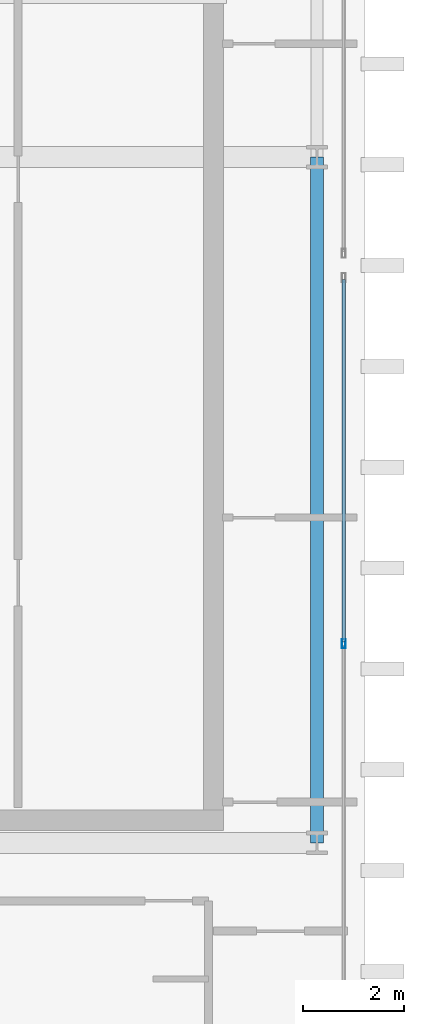
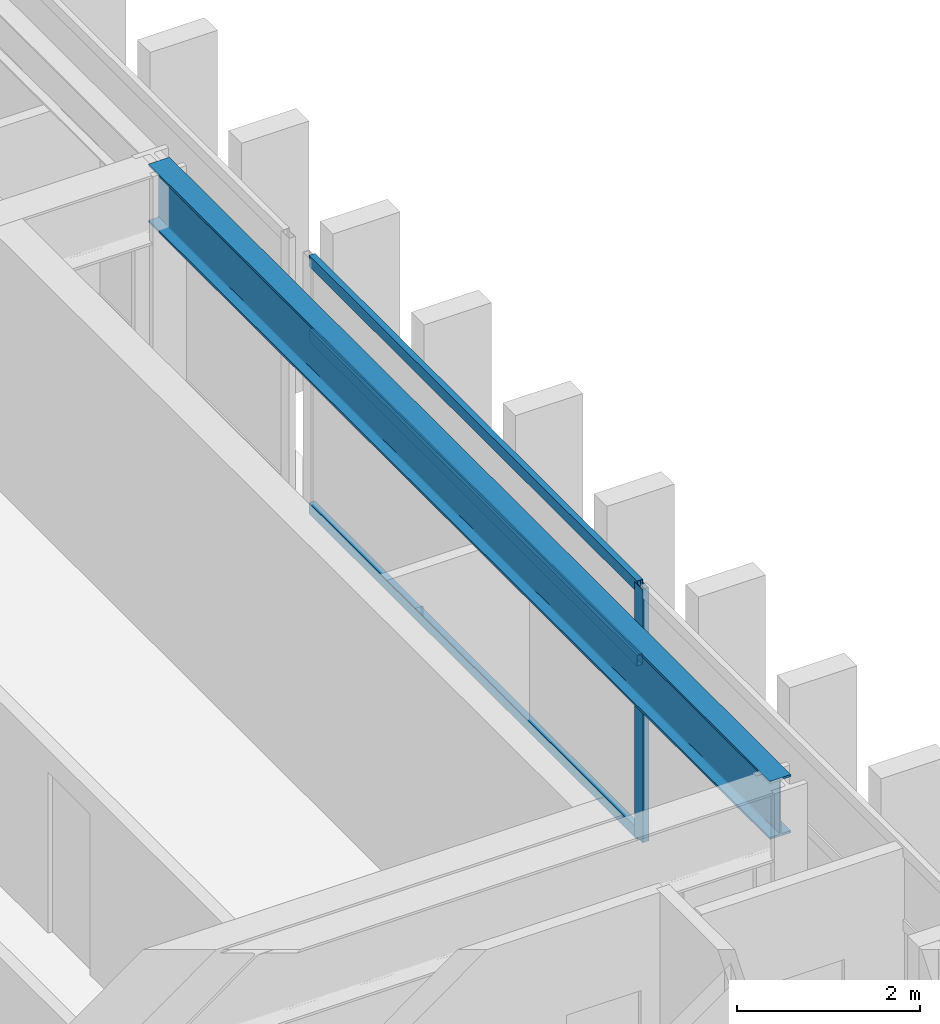
# One storey, part 10 of 25: 4 members, 1 beam, 1 element without a shape of its own.
"""IFC4 building model written with IfcOpenShell, lengths in metres."""

import ifcopenshell
import ifcopenshell.guid

model = None  # the IFC model being written
_history = None  # IfcOwnerHistory: only IFC2X3 demands one
_inside = {}  # id of a spatial element -> (the spatial element, [elements in it])
_under = {}  # id of a project, library or spatial element -> (it, [spatial elements below it])
_declared = {}  # id of a project -> (the project, [libraries it declares])
_typed = {}  # id of a type object -> (the type object, [elements of that type])
_made_of = {}  # id of a material, layer set ... -> (it, [elements and type objects made of it])


def new_model(schema):
    """Start an empty IFC model of exactly this schema.

    Asked for "IFC4X3", IfcOpenShell would pick the latest addendum, in which some entities
    have other attributes; the version numbers below select the first issue.
    IFC2X3 requires an IfcOwnerHistory on every rooted entity: one is made here for all.
    """
    global model, _history
    if schema == "IFC4X3":
        model = ifcopenshell.file(schema_version=(4, 3, 0, 0))
    else:
        model = ifcopenshell.file(schema=schema)
    _inside.clear()
    _under.clear()
    _declared.clear()
    _typed.clear()
    _made_of.clear()
    _history = None
    if model.schema == "IFC2X3":
        org = make("IfcOrganization", Name="unknown")
        user = make(
            "IfcPersonAndOrganization",
            ThePerson=make("IfcPerson", FamilyName="unknown"),
            TheOrganization=org,
        )
        app = make(
            "IfcApplication",
            ApplicationDeveloper=org,
            Version="unknown",
            ApplicationFullName="unknown",
            ApplicationIdentifier="unknown",
        )
        _history = make(
            "IfcOwnerHistory",
            OwningUser=user,
            OwningApplication=app,
            ChangeAction="ADDED",
            CreationDate=0,
        )
    return model


def make(cls, **values):
    """One entity of the class cls with the attributes given. An attribute that is None is left unset."""
    return model.create_entity(
        cls, **{name: value for name, value in values.items() if value is not None}
    )


def rooted(cls, **values):
    """An entity with a GlobalId (a new one), such as an element, a storey or a relation."""
    return make(cls, GlobalId=ifcopenshell.guid.new(), OwnerHistory=_history, **values)


def si_unit(unit_type, name, prefix=None):
    """IfcSIUnit, for example si_unit("LENGTHUNIT", "METRE", prefix="MILLI")."""
    return make("IfcSIUnit", UnitType=unit_type, Prefix=prefix, Name=name)


def assignment(units):
    """IfcUnitAssignment: the units of a project."""
    return None if units is None else make("IfcUnitAssignment", Units=units)


def point(xyz):
    """IfcCartesianPoint."""
    return None if xyz is None else make("IfcCartesianPoint", Coordinates=xyz)


def direction(xyz):
    """IfcDirection."""
    return None if xyz is None else make("IfcDirection", DirectionRatios=xyz)


def frame(location, z_axis=None, x_axis=None):
    """IfcAxis2Placement3D, a coordinate frame: its origin and axes. An axis left out is left unset."""
    return make(
        "IfcAxis2Placement3D",
        Location=point(location),
        Axis=direction(z_axis),
        RefDirection=direction(x_axis),
    )


def frame_2d(location, x_axis=None):
    """IfcAxis2Placement2D, a coordinate frame in the plane: its origin and x axis."""
    return make(
        "IfcAxis2Placement2D", Location=point(location), RefDirection=direction(x_axis)
    )


def origin():
    """The frame at (0, 0, 0) with its axes left unset."""
    return frame((0.0, 0.0, 0.0))


def origin_2d():
    """The frame at (0, 0) in the plane with its x axis left unset."""
    return frame_2d((0.0, 0.0))


def place(relative_to, where):
    """IfcLocalPlacement: puts the frame where relative to a parent placement (None: the world)."""
    return make(
        "IfcLocalPlacement", PlacementRelTo=relative_to, RelativePlacement=where
    )


def context(
    kind, dimensions, precision=None, world=None, true_north=None, identifier=None
):
    """IfcGeometricRepresentationContext, for example the 3D "Model" context."""
    return make(
        "IfcGeometricRepresentationContext",
        ContextIdentifier=identifier,
        ContextType=kind,
        CoordinateSpaceDimension=dimensions,
        Precision=precision,
        WorldCoordinateSystem=world,
        TrueNorth=true_north,
    )


def subcontext(parent, identifier, kind, view, scale=None):
    """IfcGeometricRepresentationSubContext, for example "Body" below "Model"."""
    return make(
        "IfcGeometricRepresentationSubContext",
        ContextIdentifier=identifier,
        ContextType=kind,
        ParentContext=parent,
        TargetScale=scale,
        TargetView=view,
    )


def project(units=None, contexts=None):
    """IfcProject with its units and contexts."""
    return rooted(
        "IfcProject",
        Name="project",
        RepresentationContexts=contexts,
        UnitsInContext=assignment(units),
    )


def spatial(cls, under=None, at=None, **own):
    """A site, building, storey or space (cls), placed at a placement, below another one or the project."""
    s = rooted(cls, ObjectPlacement=at, **own)
    if under is not None:
        _under.setdefault(under.id(), (under, []))[1].append(s)
    return s


def profile(cls, at=None, kind="AREA", **sizes):
    """A parametric profile (cls). Its sizes go by their IFC names, for example OverallWidth=200.0."""
    return make(cls, ProfileType=kind, Position=at, **sizes)


def hollow_rectangle(**sizes):
    """IfcRectangleHollowProfileDef."""
    return profile("IfcRectangleHollowProfileDef", **sizes)


def i_section(**sizes):
    """IfcIShapeProfileDef."""
    return profile("IfcIShapeProfileDef", **sizes)


def extrude(swept, where, along, depth):
    """IfcExtrudedAreaSolid: the profile swept, set in the frame where, extruded along a direction by depth."""
    return make(
        "IfcExtrudedAreaSolid",
        SweptArea=swept,
        Position=where,
        ExtrudedDirection=direction(along),
        Depth=depth,
    )


def shape(context_of_items, identifier, shape_type, items):
    """IfcShapeRepresentation: the items that make up one representation, for example the "Body"."""
    return make(
        "IfcShapeRepresentation",
        ContextOfItems=context_of_items,
        RepresentationIdentifier=identifier,
        RepresentationType=shape_type,
        Items=items,
    )


def source(mapping_origin, context_of_items, identifier, shape_type, items):
    """IfcRepresentationMap: a shape defined once, which mapped items show again and again."""
    return make(
        "IfcRepresentationMap",
        MappingOrigin=mapping_origin,
        MappedRepresentation=shape(context_of_items, identifier, shape_type, items),
    )


def transform(
    local_origin,
    x_axis=None,
    y_axis=None,
    z_axis=None,
    scale=None,
    scale2=None,
    scale3=None,
    uniform=True,
):
    """IfcCartesianTransformationOperator3D, or its non-uniform kind. x_axis, y_axis, z_axis: its Axis1, 2, 3."""
    if uniform:
        return make(
            "IfcCartesianTransformationOperator3D",
            Axis1=direction(x_axis),
            Axis2=direction(y_axis),
            LocalOrigin=point(local_origin),
            Scale=scale,
            Axis3=direction(z_axis),
        )
    return make(
        "IfcCartesianTransformationOperator3DnonUniform",
        Axis1=direction(x_axis),
        Axis2=direction(y_axis),
        LocalOrigin=point(local_origin),
        Scale=scale,
        Axis3=direction(z_axis),
        Scale2=scale2,
        Scale3=scale3,
    )


def mapped(mapping_source, mapping_target):
    """IfcMappedItem: shows the shape of a source again, moved by a transform."""
    return make(
        "IfcMappedItem", MappingSource=mapping_source, MappingTarget=mapping_target
    )


def material(Name=None, Category=None):
    """IfcMaterial."""
    return make("IfcMaterial", Name=Name, Category=Category)


def layer(
    of_material, thickness, ventilated=None, Name=None, Category=None, Priority=None
):
    """IfcMaterialLayer: one layer of a wall or slab, of a material (None: an air gap)."""
    return make(
        "IfcMaterialLayer",
        Material=of_material,
        LayerThickness=thickness,
        IsVentilated=ventilated,
        Name=Name,
        Category=Category,
        Priority=Priority,
    )


def layer_set(layers, Name=None):
    """IfcMaterialLayerSet."""
    return make("IfcMaterialLayerSet", MaterialLayers=layers, LayerSetName=Name)


def material_profile(
    of_material, cross_section, Name=None, Category=None, Priority=None
):
    """IfcMaterialProfile: a cross section and its material."""
    return make(
        "IfcMaterialProfile",
        Name=Name,
        Material=of_material,
        Profile=cross_section,
        Priority=Priority,
        Category=Category,
    )


def profile_set(profiles, Name=None, composite=None):
    """IfcMaterialProfileSet."""
    return make(
        "IfcMaterialProfileSet",
        Name=Name,
        MaterialProfiles=profiles,
        CompositeProfile=composite,
    )


def made_of(thing, what):
    """Note that an element or type object is made of a material, layer set ...; save() writes the relation."""
    if what is not None:
        _made_of.setdefault(what.id(), (what, []))[1].append(thing)
    return thing


def type_object(cls, material=None, **own):
    """A type object (cls), such as IfcWallType, which elements share."""
    return made_of(rooted(cls, **own), material)


def element(
    cls,
    number,
    at=None,
    inside=None,
    cuts=None,
    type_object=None,
    material=None,
    context=None,
    identifier="Body",
    shape_type=None,
    held_by="IfcProductDefinitionShape",
    body=None,
    shapes=None,
    **own,
):
    """One element of the class cls, such as IfcWall. Its Tag is "e" and its number.

    at: its placement. inside: the storey or other place that contains it. cuts: it is an
    opening in that element (IfcRelVoidsElement). A single representation is given by context,
    identifier, shape_type and body (its items); several are given by shapes. held_by: the class
    of the entity that holds the representations. save() writes the other relations.
    """
    e = rooted(cls, Tag="e%d" % number, ObjectPlacement=at, **own)
    if body is not None:
        shapes = [shape(context, identifier, shape_type, body)]
    if shapes is not None:
        e.Representation = make(held_by, Representations=shapes)
    if inside is not None:
        _inside.setdefault(inside.id(), (inside, []))[1].append(e)
    if cuts is not None:
        rooted(
            "IfcRelVoidsElement", RelatingBuildingElement=cuts, RelatedOpeningElement=e
        )
    if type_object is not None:
        _typed.setdefault(type_object.id(), (type_object, []))[1].append(e)
    return made_of(e, material)


def aggregate(whole, parts):
    """IfcRelAggregates: a whole, such as a stair, and the parts it consists of."""
    return rooted("IfcRelAggregates", RelatingObject=whole, RelatedObjects=parts)


def save(model, path):
    """Write the relations noted so far, then the file.

    IfcRelAggregates (storeys below a building ...), IfcRelContainedInSpatialStructure (elements
    in a storey), IfcRelDefinesByType, IfcRelAssociatesMaterial and IfcRelDeclares: one each for
    every whole, place, type object, material and project.
    """
    for whole, parts in _under.values():
        aggregate(whole, parts)
    for where, things in _inside.values():
        rooted(
            "IfcRelContainedInSpatialStructure",
            RelatedElements=things,
            RelatingStructure=where,
        )
    for kind, things in _typed.values():
        rooted("IfcRelDefinesByType", RelatedObjects=things, RelatingType=kind)
    for what, things in _made_of.values():
        rooted("IfcRelAssociatesMaterial", RelatedObjects=things, RelatingMaterial=what)
    for by, libraries in _declared.values():
        rooted("IfcRelDeclares", RelatingContext=by, RelatedDefinitions=libraries)
    model.write(path)


model = new_model("IFC4")

# Units and contexts
model_context = context("Model", 3, precision=1e-05, world=origin(), true_north=direction((0.0, 1.0)))
body_context = subcontext(model_context, "Body", "Model", "MODEL_VIEW")
ifc_project = project(units=[si_unit("LENGTHUNIT", "METRE"), si_unit("AREAUNIT", "SQUARE_METRE"), si_unit("VOLUMEUNIT", "CUBIC_METRE"), si_unit("PLANEANGLEUNIT", "RADIAN"), si_unit("MASSUNIT", "GRAM", prefix="KILO")], contexts=[model_context])

# Site, building, storey
site_placement = place(None, origin())
site = spatial("IfcSite", under=ifc_project, at=site_placement, CompositionType="ELEMENT")
building_placement = place(site_placement, origin())
building = spatial("IfcBuilding", under=site, at=building_placement, Name="Ocotamira Hotel", CompositionType="ELEMENT")
storey_placement = place(building_placement, frame((0.0, 0.0, 258.0)))
storey = spatial("IfcBuildingStorey", under=building, at=storey_placement, Name="L65", CompositionType="ELEMENT", Elevation=258.0)

# Beam
ifc_material_1 = material(Name="Steel ASTM A992 Grade 50", Category="steel")
ifc_material_profile_1 = material_profile(ifc_material_1, i_section(OverallWidth=0.26611328125, OverallDepth=0.779052734375, WebThickness=0.0166015625, FlangeThickness=0.030029296875, FilletRadius=0.01806640625, at=origin_2d()), Name="W30X148")
ifc_profile_set_1 = profile_set([ifc_material_profile_1], Name="Steel ASTM A992 Grade 50")
beam_type = type_object("IfcBeamType", Name="BM-GIRD-W30X148", PredefinedType="BEAM", material=ifc_profile_set_1)
shared_shape_1 = source(origin(), body_context, "Body", "SweptSolid", [
    extrude(i_section(OverallWidth=0.26611328125, OverallDepth=0.779052734375, WebThickness=0.0166015625, FlangeThickness=0.030029296875, FilletRadius=0.01806640625, at=origin_2d()), origin(), (0.0, 0.0, 1.0), 13.599853515625),
])
beam_placement = place(storey_placement, frame((55.050048828125, 14.550048828125, 2.990478515625), z_axis=(0.0, 1.0, 0.0), x_axis=(-1.0, 0.0, 0.0)))
element("IfcBeam", 1, at=beam_placement, inside=storey, type_object=beam_type, Name="L65 Beam X55.05 Y14.55-28.15", PredefinedType="BEAM", context=body_context, shape_type="MappedRepresentation", body=[
    mapped(shared_shape_1, transform((0.0, 0.0, 0.0), scale=1.0)),
])

# Curtain wall, members
ifc_material_2 = material(Name="Anodised pale-metal aluminium and solar glass", Category="aluminium")
ifc_layer = layer(ifc_material_2, 0.2099609375)
ifc_layer_set = layer_set([ifc_layer], Name="Anodised pale-metal aluminium and solar glass")
curtain_wall_type = type_object("IfcCurtainWallType", Name="CW-SYS7-PEAK", PredefinedType="NOTDEFINED", material=ifc_layer_set)
curtain_wall_placement = place(storey_placement, origin())
curtain_wall = element("IfcCurtainWall", 2, at=curtain_wall_placement, inside=storey, type_object=curtain_wall_type, Name="L65 Curtain Wall CW-7 CW-L65-EO1", PredefinedType="NOTDEFINED")
ifc_material_3 = material(Name="Anodised pale-metal aluminium 6063-T6", Category="aluminium")
ifc_material_profile_2 = material_profile(ifc_material_3, hollow_rectangle(XDim=0.080078125, YDim=0.179931640625, WallThickness=0.006103515625, at=origin_2d()), Name="HSS180X80X6")
ifc_profile_set_2 = profile_set([ifc_material_profile_2], Name="Anodised pale-metal aluminium 6063-T6")
member_type_1 = type_object("IfcMemberType", Name="CWM-180X75", PredefinedType="MULLION", material=ifc_profile_set_2)
shared_shape_2 = source(origin(), body_context, "Body", "SweptSolid", [
    extrude(hollow_rectangle(XDim=0.080078125, YDim=0.179931640625, WallThickness=0.006103515625, at=origin_2d()), origin(), (0.0, 0.0, 1.0), 3.3798828125),
])
member_1_placement = place(storey_placement, frame((55.580078125, 18.5, 0.0), z_axis=(0.0, 0.0, 1.0), x_axis=(-1.0, 0.0, 0.0)))
member_1 = element("IfcMember", 3, at=member_1_placement, type_object=member_type_1, Name="CW-7 mullion 2", PredefinedType="MULLION", context=body_context, shape_type="MappedRepresentation", body=[
    mapped(shared_shape_2, transform((0.0, 0.0, 0.0), scale=1.0)),
])
ifc_material_profile_3 = material_profile(ifc_material_3, hollow_rectangle(XDim=0.074951171875, YDim=0.14990234375, WallThickness=0.006103515625, at=origin_2d()), Name="HSS150X75X6")
ifc_profile_set_3 = profile_set([ifc_material_profile_3], Name="Anodised pale-metal aluminium 6063-T6")
member_type_2 = type_object("IfcMemberType", Name="CWT-150X75", PredefinedType="USERDEFINED", material=ifc_profile_set_3)
shared_shape_3 = source(origin(), body_context, "Body", "SweptSolid", [
    extrude(hollow_rectangle(XDim=0.074951171875, YDim=0.14990234375, WallThickness=0.006103515625, at=origin_2d()), origin(), (0.0, 0.0, 1.0), 7.179931640625),
])
member_2_placement = place(storey_placement, frame((55.580078125, 18.5400390625, 0.03759765625), z_axis=(0.0, 1.0, 0.0), x_axis=(-1.0, 0.0, 0.0)))
member_2 = element("IfcMember", 4, at=member_2_placement, type_object=member_type_2, Name="CW-7 transom 2.1", ObjectType="TRANSOM", PredefinedType="USERDEFINED", context=body_context, shape_type="MappedRepresentation", body=[
    mapped(shared_shape_3, transform((0.0, 0.0, 0.0), scale=1.0)),
])
member_3_placement = place(storey_placement, frame((55.580078125, 18.5400390625, 2.35009765625), z_axis=(0.0, 1.0, 0.0), x_axis=(-1.0, 0.0, 0.0)))
member_3 = element("IfcMember", 5, at=member_3_placement, type_object=member_type_2, Name="CW-7 transom 2.2", ObjectType="TRANSOM", PredefinedType="USERDEFINED", context=body_context, shape_type="MappedRepresentation", body=[
    mapped(shared_shape_3, transform((0.0, 0.0, 0.0), scale=1.0)),
])
member_4_placement = place(storey_placement, frame((55.580078125, 18.5400390625, 3.342529296875), z_axis=(0.0, 1.0, 0.0), x_axis=(-1.0, 0.0, 0.0)))
member_4 = element("IfcMember", 6, at=member_4_placement, type_object=member_type_2, Name="CW-7 transom 2.3", ObjectType="TRANSOM", PredefinedType="USERDEFINED", context=body_context, shape_type="MappedRepresentation", body=[
    mapped(shared_shape_3, transform((0.0, 0.0, 0.0), scale=1.0)),
])
aggregate(curtain_wall, [member_1, member_2, member_3, member_4])

save(model, "model.ifc")
